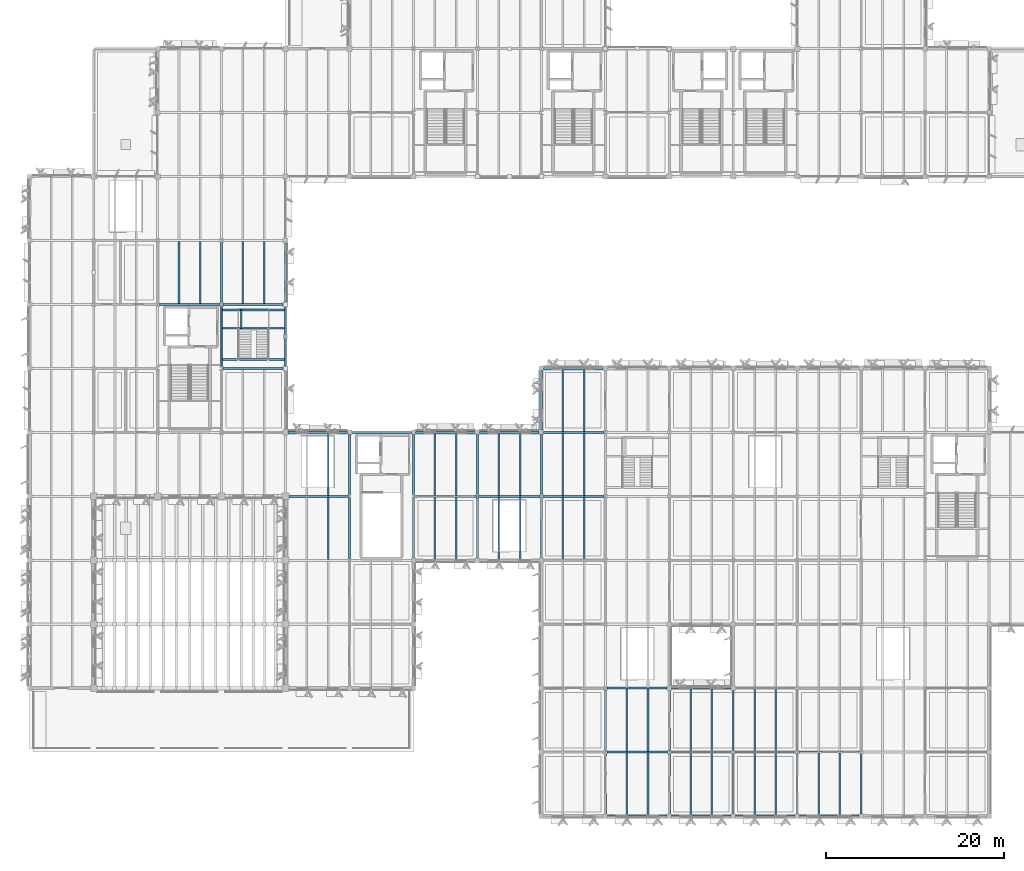
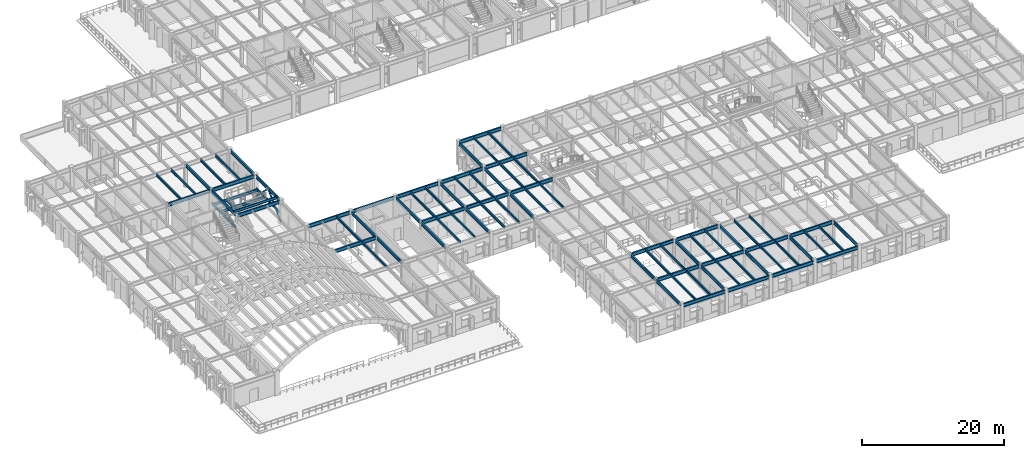
# One storey, part 17 of 85: 84 beams, 2 members.
"""IFC4 building model written with IfcOpenShell, lengths in metres."""

import ifcopenshell
import ifcopenshell.guid

model = None  # the IFC model being written
_history = None  # IfcOwnerHistory: only IFC2X3 demands one
_inside = {}  # id of a spatial element -> (the spatial element, [elements in it])
_under = {}  # id of a project, library or spatial element -> (it, [spatial elements below it])
_declared = {}  # id of a project -> (the project, [libraries it declares])
_typed = {}  # id of a type object -> (the type object, [elements of that type])
_made_of = {}  # id of a material, layer set ... -> (it, [elements and type objects made of it])


def new_model(schema):
    """Start an empty IFC model of exactly this schema.

    Asked for "IFC4X3", IfcOpenShell would pick the latest addendum, in which some entities
    have other attributes; the version numbers below select the first issue.
    IFC2X3 requires an IfcOwnerHistory on every rooted entity: one is made here for all.
    """
    global model, _history
    if schema == "IFC4X3":
        model = ifcopenshell.file(schema_version=(4, 3, 0, 0))
    else:
        model = ifcopenshell.file(schema=schema)
    _inside.clear()
    _under.clear()
    _declared.clear()
    _typed.clear()
    _made_of.clear()
    _history = None
    if model.schema == "IFC2X3":
        org = make("IfcOrganization", Name="unknown")
        user = make(
            "IfcPersonAndOrganization",
            ThePerson=make("IfcPerson", FamilyName="unknown"),
            TheOrganization=org,
        )
        app = make(
            "IfcApplication",
            ApplicationDeveloper=org,
            Version="unknown",
            ApplicationFullName="unknown",
            ApplicationIdentifier="unknown",
        )
        _history = make(
            "IfcOwnerHistory",
            OwningUser=user,
            OwningApplication=app,
            ChangeAction="ADDED",
            CreationDate=0,
        )
    return model


def make(cls, **values):
    """One entity of the class cls with the attributes given. An attribute that is None is left unset."""
    return model.create_entity(
        cls, **{name: value for name, value in values.items() if value is not None}
    )


def rooted(cls, **values):
    """An entity with a GlobalId (a new one), such as an element, a storey or a relation."""
    return make(cls, GlobalId=ifcopenshell.guid.new(), OwnerHistory=_history, **values)


def si_unit(unit_type, name, prefix=None):
    """IfcSIUnit, for example si_unit("LENGTHUNIT", "METRE", prefix="MILLI")."""
    return make("IfcSIUnit", UnitType=unit_type, Prefix=prefix, Name=name)


def assignment(units):
    """IfcUnitAssignment: the units of a project."""
    return None if units is None else make("IfcUnitAssignment", Units=units)


def point(xyz):
    """IfcCartesianPoint."""
    return None if xyz is None else make("IfcCartesianPoint", Coordinates=xyz)


def direction(xyz):
    """IfcDirection."""
    return None if xyz is None else make("IfcDirection", DirectionRatios=xyz)


def frame(location, z_axis=None, x_axis=None):
    """IfcAxis2Placement3D, a coordinate frame: its origin and axes. An axis left out is left unset."""
    return make(
        "IfcAxis2Placement3D",
        Location=point(location),
        Axis=direction(z_axis),
        RefDirection=direction(x_axis),
    )


def frame_2d(location, x_axis=None):
    """IfcAxis2Placement2D, a coordinate frame in the plane: its origin and x axis."""
    return make(
        "IfcAxis2Placement2D", Location=point(location), RefDirection=direction(x_axis)
    )


def origin():
    """The frame at (0, 0, 0) with its axes left unset."""
    return frame((0.0, 0.0, 0.0))


def origin_2d():
    """The frame at (0, 0) in the plane with its x axis left unset."""
    return frame_2d((0.0, 0.0))


def place(relative_to, where):
    """IfcLocalPlacement: puts the frame where relative to a parent placement (None: the world)."""
    return make(
        "IfcLocalPlacement", PlacementRelTo=relative_to, RelativePlacement=where
    )


def context(
    kind, dimensions, precision=None, world=None, true_north=None, identifier=None
):
    """IfcGeometricRepresentationContext, for example the 3D "Model" context."""
    return make(
        "IfcGeometricRepresentationContext",
        ContextIdentifier=identifier,
        ContextType=kind,
        CoordinateSpaceDimension=dimensions,
        Precision=precision,
        WorldCoordinateSystem=world,
        TrueNorth=true_north,
    )


def subcontext(parent, identifier, kind, view, scale=None):
    """IfcGeometricRepresentationSubContext, for example "Body" below "Model"."""
    return make(
        "IfcGeometricRepresentationSubContext",
        ContextIdentifier=identifier,
        ContextType=kind,
        ParentContext=parent,
        TargetScale=scale,
        TargetView=view,
    )


def project(units=None, contexts=None):
    """IfcProject with its units and contexts."""
    return rooted(
        "IfcProject",
        Name="project",
        RepresentationContexts=contexts,
        UnitsInContext=assignment(units),
    )


def spatial(cls, under=None, at=None, **own):
    """A site, building, storey or space (cls), placed at a placement, below another one or the project."""
    s = rooted(cls, ObjectPlacement=at, **own)
    if under is not None:
        _under.setdefault(under.id(), (under, []))[1].append(s)
    return s


def profile(cls, at=None, kind="AREA", **sizes):
    """A parametric profile (cls). Its sizes go by their IFC names, for example OverallWidth=200.0."""
    return make(cls, ProfileType=kind, Position=at, **sizes)


def hollow_rectangle(**sizes):
    """IfcRectangleHollowProfileDef."""
    return profile("IfcRectangleHollowProfileDef", **sizes)


def i_section(**sizes):
    """IfcIShapeProfileDef."""
    return profile("IfcIShapeProfileDef", **sizes)


def extrude(swept, where, along, depth):
    """IfcExtrudedAreaSolid: the profile swept, set in the frame where, extruded along a direction by depth."""
    return make(
        "IfcExtrudedAreaSolid",
        SweptArea=swept,
        Position=where,
        ExtrudedDirection=direction(along),
        Depth=depth,
    )


def shape(context_of_items, identifier, shape_type, items):
    """IfcShapeRepresentation: the items that make up one representation, for example the "Body"."""
    return make(
        "IfcShapeRepresentation",
        ContextOfItems=context_of_items,
        RepresentationIdentifier=identifier,
        RepresentationType=shape_type,
        Items=items,
    )


def material(Name=None, Category=None):
    """IfcMaterial."""
    return make("IfcMaterial", Name=Name, Category=Category)


def material_profile(
    of_material, cross_section, Name=None, Category=None, Priority=None
):
    """IfcMaterialProfile: a cross section and its material."""
    return make(
        "IfcMaterialProfile",
        Name=Name,
        Material=of_material,
        Profile=cross_section,
        Priority=Priority,
        Category=Category,
    )


def profile_set(profiles, Name=None, composite=None):
    """IfcMaterialProfileSet."""
    return make(
        "IfcMaterialProfileSet",
        Name=Name,
        MaterialProfiles=profiles,
        CompositeProfile=composite,
    )


def made_of(thing, what):
    """Note that an element or type object is made of a material, layer set ...; save() writes the relation."""
    if what is not None:
        _made_of.setdefault(what.id(), (what, []))[1].append(thing)
    return thing


def type_object(cls, material=None, **own):
    """A type object (cls), such as IfcWallType, which elements share."""
    return made_of(rooted(cls, **own), material)


def element(
    cls,
    number,
    at=None,
    inside=None,
    cuts=None,
    type_object=None,
    material=None,
    context=None,
    identifier="Body",
    shape_type=None,
    held_by="IfcProductDefinitionShape",
    body=None,
    shapes=None,
    **own,
):
    """One element of the class cls, such as IfcWall. Its Tag is "e" and its number.

    at: its placement. inside: the storey or other place that contains it. cuts: it is an
    opening in that element (IfcRelVoidsElement). A single representation is given by context,
    identifier, shape_type and body (its items); several are given by shapes. held_by: the class
    of the entity that holds the representations. save() writes the other relations.
    """
    e = rooted(cls, Tag="e%d" % number, ObjectPlacement=at, **own)
    if body is not None:
        shapes = [shape(context, identifier, shape_type, body)]
    if shapes is not None:
        e.Representation = make(held_by, Representations=shapes)
    if inside is not None:
        _inside.setdefault(inside.id(), (inside, []))[1].append(e)
    if cuts is not None:
        rooted(
            "IfcRelVoidsElement", RelatingBuildingElement=cuts, RelatedOpeningElement=e
        )
    if type_object is not None:
        _typed.setdefault(type_object.id(), (type_object, []))[1].append(e)
    return made_of(e, material)


def aggregate(whole, parts):
    """IfcRelAggregates: a whole, such as a stair, and the parts it consists of."""
    return rooted("IfcRelAggregates", RelatingObject=whole, RelatedObjects=parts)


def save(model, path):
    """Write the relations noted so far, then the file.

    IfcRelAggregates (storeys below a building ...), IfcRelContainedInSpatialStructure (elements
    in a storey), IfcRelDefinesByType, IfcRelAssociatesMaterial and IfcRelDeclares: one each for
    every whole, place, type object, material and project.
    """
    for whole, parts in _under.values():
        aggregate(whole, parts)
    for where, things in _inside.values():
        rooted(
            "IfcRelContainedInSpatialStructure",
            RelatedElements=things,
            RelatingStructure=where,
        )
    for kind, things in _typed.values():
        rooted("IfcRelDefinesByType", RelatedObjects=things, RelatingType=kind)
    for what, things in _made_of.values():
        rooted("IfcRelAssociatesMaterial", RelatedObjects=things, RelatingMaterial=what)
    for by, libraries in _declared.values():
        rooted("IfcRelDeclares", RelatingContext=by, RelatedDefinitions=libraries)
    model.write(path)


model = new_model("IFC4")

# Units and contexts
model_context = context("Model", 3, precision=1e-05, world=origin(), true_north=direction((0.0, 1.0)))
body_context = subcontext(model_context, "Body", "Model", "MODEL_VIEW")
ifc_project = project(units=[si_unit("LENGTHUNIT", "METRE"), si_unit("AREAUNIT", "SQUARE_METRE"), si_unit("VOLUMEUNIT", "CUBIC_METRE"), si_unit("PLANEANGLEUNIT", "RADIAN"), si_unit("MASSUNIT", "GRAM", prefix="KILO")], contexts=[model_context])

# Site, building, storey
site_placement = place(None, origin())
site = spatial("IfcSite", under=ifc_project, at=site_placement, CompositionType="ELEMENT")
building_placement = place(site_placement, origin())
building = spatial("IfcBuilding", under=site, at=building_placement, Name="Sillqori Civic Hall", CompositionType="ELEMENT")
storey_placement = place(building_placement, frame((0.0, 0.0, 9.89990234375)))
storey = spatial("IfcBuildingStorey", under=building, at=storey_placement, Name="L03", CompositionType="ELEMENT", Elevation=9.89990234375)

# Beams
ifc_material_1 = material(Name="Steel ASTM A992", Category="steel")
ifc_material_profile_1 = material_profile(ifc_material_1, i_section(OverallWidth=0.19091796875, OverallDepth=0.4599609375, WebThickness=0.010009765625, FlangeThickness=0.01611328125, FilletRadius=0.012939453125, at=origin_2d()), Name="W18X55")
ifc_profile_set_1 = profile_set([ifc_material_profile_1], Name="Steel ASTM A992")
beam_type_1 = type_object("IfcBeamType", Name="BM-W18X55", PredefinedType="BEAM", material=ifc_profile_set_1)
beam_1_placement = place(storey_placement, frame((28.800048828125, 57.778076171875, 1.675048828125), z_axis=(0.0, 1.0, 0.0), x_axis=(-1.0, 0.0, 0.0)))
element("IfcBeam", 1, at=beam_1_placement, inside=storey, type_object=beam_type_1, Name="Directorate Wing Stair L03-L04 landing stringer girder W", PredefinedType="BEAM", context=body_context, shape_type="SweptSolid", body=[
    extrude(i_section(OverallWidth=0.19091796875, OverallDepth=0.4599609375, WebThickness=0.010009765625, FlangeThickness=0.01611328125, FilletRadius=0.012939453125, at=origin_2d()), origin(), (0.0, 0.0, 1.0), 6.843994140625),
])
beam_2_placement = place(storey_placement, frame((36.0, 57.89404296875, 1.675048828125), z_axis=(0.0, 1.0, 0.0), x_axis=(-1.0, 0.0, 0.0)))
element("IfcBeam", 2, at=beam_2_placement, inside=storey, type_object=beam_type_1, Name="Directorate Wing Stair L03-L04 landing stringer girder E", PredefinedType="BEAM", context=body_context, shape_type="SweptSolid", body=[
    extrude(i_section(OverallWidth=0.19091796875, OverallDepth=0.4599609375, WebThickness=0.010009765625, FlangeThickness=0.01611328125, FilletRadius=0.012939453125, at=origin_2d()), origin(), (0.0, 0.0, 1.0), 6.612060546875),
])
for number, where, z_axis, x_axis, name in (
    (3, (28.840087890625, 62.110107421875, 1.675048828125), (1.0, 0.0, 0.0), (0.0, 1.0, 0.0), "Directorate Wing Stair L03-L04 half-landing cross trimmer 1"),
    (4, (28.840087890625, 64.179931640625, 1.675048828125), (1.0, 0.0, 0.0), (0.0, 1.0, 0.0), "Directorate Wing Stair L03-L04 half-landing cross trimmer 2"),
):
    element("IfcBeam", number, at=place(storey_placement, frame(where, z_axis=z_axis, x_axis=x_axis)), inside=storey, type_object=beam_type_1, Name=name, PredefinedType="BEAM", context=body_context, shape_type="SweptSolid", body=[
        extrude(i_section(OverallWidth=0.19091796875, OverallDepth=0.4599609375, WebThickness=0.010009765625, FlangeThickness=0.01611328125, FilletRadius=0.012939453125, at=origin_2d()), origin(), (0.0, 0.0, 1.0), 7.119873046875),
    ])
beam_3_placement = place(storey_placement, frame((31.0, 62.080078125, 1.675048828125), z_axis=(0.0, 1.0, 0.0), x_axis=(-1.0, 0.0, 0.0)))
element("IfcBeam", 5, at=beam_3_placement, inside=storey, type_object=beam_type_1, Name="Directorate Wing Stair L03-L04 half-landing spine rib", PredefinedType="BEAM", context=body_context, shape_type="SweptSolid", body=[
    extrude(i_section(OverallWidth=0.19091796875, OverallDepth=0.4599609375, WebThickness=0.010009765625, FlangeThickness=0.01611328125, FilletRadius=0.012939453125, at=origin_2d()), origin(), (0.0, 0.0, 1.0), 2.1298828125),
])
beam_4_placement = place(storey_placement, frame((28.840087890625, 58.60009765625, 3.795166015625), z_axis=(1.0, 0.0, 0.0), x_axis=(0.0, 1.0, 0.0)))
element("IfcBeam", 6, at=beam_4_placement, inside=storey, type_object=beam_type_1, Name="Directorate Wing Stair L03-L04 upper arrival trimmer beam", PredefinedType="BEAM", context=body_context, shape_type="SweptSolid", body=[
    extrude(i_section(OverallWidth=0.19091796875, OverallDepth=0.4599609375, WebThickness=0.010009765625, FlangeThickness=0.01611328125, FilletRadius=0.012939453125, at=origin_2d()), origin(), (0.0, 0.0, 1.0), 7.119873046875),
])
ifc_material_profile_2 = material_profile(ifc_material_1, i_section(OverallWidth=0.2099609375, OverallDepth=0.532958984375, WebThickness=0.01025390625, FlangeThickness=0.015625, FilletRadius=0.013916015625, at=origin_2d()), Name="W21X62")
ifc_profile_set_2 = profile_set([ifc_material_profile_2], Name="Steel ASTM A992")
beam_type_2 = type_object("IfcBeamType", Name="BM-W21X62", PredefinedType="BEAM", material=ifc_profile_set_2)
for number, where, z_axis, x_axis, name in (
    (7, (28.800048828125, 57.778076171875, 3.753662109375), (0.0, 1.0, 0.0), (-1.0, 0.0, 0.0), "L03 girder Y 4-8"),
    (8, (28.800048828125, 64.97802734375, 3.753662109375), (0.0, 1.0, 0.0), (-1.0, 0.0, 0.0), "L03 girder Y 4-9"),
):
    element("IfcBeam", number, at=place(storey_placement, frame(where, z_axis=z_axis, x_axis=x_axis)), inside=storey, type_object=beam_type_2, Name=name, PredefinedType="BEAM", context=body_context, shape_type="SweptSolid", body=[
        extrude(i_section(OverallWidth=0.2099609375, OverallDepth=0.532958984375, WebThickness=0.01025390625, FlangeThickness=0.015625, FilletRadius=0.013916015625, at=origin_2d()), origin(), (0.0, 0.0, 1.0), 6.843994140625),
    ])
for number, where, z_axis, x_axis, name in (
    (9, (36.0, 57.89404296875, 3.753662109375), (0.0, 1.0, 0.0), (-1.0, 0.0, 0.0), "L03 girder Y 5-8"),
    (10, (36.0, 65.093994140625, 3.753662109375), (0.0, 1.0, 0.0), (-1.0, 0.0, 0.0), "L03 girder Y 5-9"),
):
    element("IfcBeam", number, at=place(storey_placement, frame(where, z_axis=z_axis, x_axis=x_axis)), inside=storey, type_object=beam_type_2, Name=name, PredefinedType="BEAM", context=body_context, shape_type="SweptSolid", body=[
        extrude(i_section(OverallWidth=0.2099609375, OverallDepth=0.532958984375, WebThickness=0.01025390625, FlangeThickness=0.015625, FilletRadius=0.013916015625, at=origin_2d()), origin(), (0.0, 0.0, 1.0), 6.612060546875),
    ])
beam_5_placement = place(storey_placement, frame((43.199951171875, 36.175537109375, 3.733642578125), z_axis=(0.0, 1.0, 0.0), x_axis=(-1.0, 0.0, 0.0)))
element("IfcBeam", 11, at=beam_5_placement, inside=storey, type_object=beam_type_2, Name="L03 girder Y 6-5", PredefinedType="BEAM", context=body_context, shape_type="SweptSolid", body=[
    extrude(i_section(OverallWidth=0.2099609375, OverallDepth=0.532958984375, WebThickness=0.01025390625, FlangeThickness=0.015625, FilletRadius=0.013916015625, at=origin_2d()), origin(), (0.0, 0.0, 1.0), 6.848876953125),
])
for number, where, z_axis, x_axis, name in (
    (12, (43.199951171875, 43.37548828125, 3.733642578125), (0.0, 1.0, 0.0), (-1.0, 0.0, 0.0), "L03 girder Y 6-6"),
    (13, (50.39990234375, 36.243896484375, 3.733642578125), (0.0, 1.0, 0.0), (-1.0, 0.0, 0.0), "L03 girder Y 7-5"),
    (14, (50.39990234375, 43.37548828125, 3.733642578125), (0.0, 1.0, 0.0), (-1.0, 0.0, 0.0), "L03 girder Y 7-6"),
    (15, (57.60009765625, 36.243896484375, 3.733642578125), (0.0, 1.0, 0.0), (-1.0, 0.0, 0.0), "L03 girder Y 8-5"),
    (16, (57.60009765625, 43.37548828125, 3.733642578125), (0.0, 1.0, 0.0), (-1.0, 0.0, 0.0), "L03 girder Y 8-6"),
):
    element("IfcBeam", number, at=place(storey_placement, frame(where, z_axis=z_axis, x_axis=x_axis)), inside=storey, type_object=beam_type_2, Name=name, PredefinedType="BEAM", context=body_context, shape_type="SweptSolid", body=[
        extrude(i_section(OverallWidth=0.2099609375, OverallDepth=0.532958984375, WebThickness=0.01025390625, FlangeThickness=0.015625, FilletRadius=0.013916015625, at=origin_2d()), origin(), (0.0, 0.0, 1.0), 6.780517578125),
    ])
for number, where, z_axis, x_axis, name in (
    (17, (64.800048828125, 36.243896484375, 3.733642578125), (0.0, 1.0, 0.0), (-1.0, 0.0, 0.0), "L03 girder Y 9-5"),
    (18, (64.800048828125, 43.37451171875, 3.733642578125), (0.0, 1.0, 0.0), (-1.0, 0.0, 0.0), "L03 girder Y 9-6"),
):
    element("IfcBeam", number, at=place(storey_placement, frame(where, z_axis=z_axis, x_axis=x_axis)), inside=storey, type_object=beam_type_2, Name=name, PredefinedType="BEAM", context=body_context, shape_type="SweptSolid", body=[
        extrude(i_section(OverallWidth=0.2099609375, OverallDepth=0.532958984375, WebThickness=0.01025390625, FlangeThickness=0.015625, FilletRadius=0.013916015625, at=origin_2d()), origin(), (0.0, 0.0, 1.0), 6.781494140625),
    ])
beam_6_placement = place(storey_placement, frame((64.800048828125, 50.64404296875, 3.753662109375), z_axis=(0.0, 1.0, 0.0), x_axis=(-1.0, 0.0, 0.0)))
element("IfcBeam", 19, at=beam_6_placement, inside=storey, type_object=beam_type_2, Name="L03 girder Y 9-7", PredefinedType="BEAM", context=body_context, shape_type="SweptSolid", body=[
    extrude(i_section(OverallWidth=0.2099609375, OverallDepth=0.532958984375, WebThickness=0.01025390625, FlangeThickness=0.015625, FilletRadius=0.013916015625, at=origin_2d()), origin(), (0.0, 0.0, 1.0), 6.7119140625),
])
beam_7_placement = place(storey_placement, frame((72.0, 7.444091796875, 3.753662109375), z_axis=(0.0, 1.0, 0.0), x_axis=(-1.0, 0.0, 0.0)))
element("IfcBeam", 20, at=beam_7_placement, inside=storey, type_object=beam_type_2, Name="L03 girder Y 10-1", PredefinedType="BEAM", context=body_context, shape_type="SweptSolid", body=[
    extrude(i_section(OverallWidth=0.2099609375, OverallDepth=0.532958984375, WebThickness=0.01025390625, FlangeThickness=0.015625, FilletRadius=0.013916015625, at=origin_2d()), origin(), (0.0, 0.0, 1.0), 6.781494140625),
])
beam_8_placement = place(storey_placement, frame((72.0, 14.574462890625, 3.753662109375), z_axis=(0.0, 1.0, 0.0), x_axis=(-1.0, 0.0, 0.0)))
element("IfcBeam", 21, at=beam_8_placement, inside=storey, type_object=beam_type_2, Name="L03 girder Y 10-2", PredefinedType="BEAM", context=body_context, shape_type="SweptSolid", body=[
    extrude(i_section(OverallWidth=0.2099609375, OverallDepth=0.532958984375, WebThickness=0.01025390625, FlangeThickness=0.015625, FilletRadius=0.013916015625, at=origin_2d()), origin(), (0.0, 0.0, 1.0), 6.85107421875),
])
for number, where, z_axis, x_axis, name in (
    (22, (79.199951171875, 7.444091796875, 3.753662109375), (0.0, 1.0, 0.0), (-1.0, 0.0, 0.0), "L03 girder Y 11-1"),
    (23, (79.199951171875, 14.574462890625, 3.753662109375), (0.0, 1.0, 0.0), (-1.0, 0.0, 0.0), "L03 girder Y 11-2"),
    (24, (86.39990234375, 7.444091796875, 3.753662109375), (0.0, 1.0, 0.0), (-1.0, 0.0, 0.0), "L03 girder Y 12-1"),
    (25, (86.39990234375, 14.574462890625, 3.753662109375), (0.0, 1.0, 0.0), (-1.0, 0.0, 0.0), "L03 girder Y 12-2"),
    (26, (93.60009765625, 7.444091796875, 3.753662109375), (0.0, 1.0, 0.0), (-1.0, 0.0, 0.0), "L03 girder Y 13-1"),
    (27, (100.800048828125, 7.444091796875, 3.753662109375), (0.0, 1.0, 0.0), (-1.0, 0.0, 0.0), "L03 girder Y 14-1"),
):
    element("IfcBeam", number, at=place(storey_placement, frame(where, z_axis=z_axis, x_axis=x_axis)), inside=storey, type_object=beam_type_2, Name=name, PredefinedType="BEAM", context=body_context, shape_type="SweptSolid", body=[
        extrude(i_section(OverallWidth=0.2099609375, OverallDepth=0.532958984375, WebThickness=0.01025390625, FlangeThickness=0.015625, FilletRadius=0.013916015625, at=origin_2d()), origin(), (0.0, 0.0, 1.0), 6.781494140625),
    ])
ifc_material_profile_3 = material_profile(ifc_material_1, i_section(OverallWidth=0.22802734375, OverallDepth=0.60205078125, WebThickness=0.010498046875, FlangeThickness=0.014892578125, FilletRadius=0.014892578125, at=origin_2d()), Name="W24X68")
ifc_profile_set_3 = profile_set([ifc_material_profile_3], Name="Steel ASTM A992")
beam_type_3 = type_object("IfcBeamType", Name="BM-W24X68", PredefinedType="BEAM", material=ifc_profile_set_3)
beam_9_placement = place(storey_placement, frame((21.780517578125, 64.800048828125, 3.718994140625), z_axis=(1.0, 0.0, 0.0), x_axis=(0.0, 1.0, 0.0)))
element("IfcBeam", 28, at=beam_9_placement, inside=storey, type_object=beam_type_3, Name="L03 girder X 3-9", PredefinedType="BEAM", context=body_context, shape_type="SweptSolid", body=[
    extrude(i_section(OverallWidth=0.22802734375, OverallDepth=0.60205078125, WebThickness=0.010498046875, FlangeThickness=0.014892578125, FilletRadius=0.014892578125, at=origin_2d()), origin(), (0.0, 0.0, 1.0), 6.8388671875),
])
for number, where, z_axis, x_axis, name in (
    (29, (28.98046875, 57.60009765625, 3.718994140625), (1.0, 0.0, 0.0), (0.0, 1.0, 0.0), "L03 girder X 4-8"),
    (30, (28.98046875, 64.800048828125, 3.718994140625), (1.0, 0.0, 0.0), (0.0, 1.0, 0.0), "L03 girder X 4-9"),
):
    element("IfcBeam", number, at=place(storey_placement, frame(where, z_axis=z_axis, x_axis=x_axis)), inside=storey, type_object=beam_type_3, Name=name, PredefinedType="BEAM", context=body_context, shape_type="SweptSolid", body=[
        extrude(i_section(OverallWidth=0.22802734375, OverallDepth=0.60205078125, WebThickness=0.010498046875, FlangeThickness=0.014892578125, FilletRadius=0.014892578125, at=origin_2d()), origin(), (0.0, 0.0, 1.0), 6.7255859375),
    ])
beam_10_placement = place(storey_placement, frame((36.368896484375, 43.199951171875, 3.69921875), z_axis=(1.0, 0.0, 0.0), x_axis=(0.0, 1.0, 0.0)))
element("IfcBeam", 31, at=beam_10_placement, inside=storey, type_object=beam_type_3, Name="L03 girder X 5-6", PredefinedType="BEAM", context=body_context, shape_type="SweptSolid", body=[
    extrude(i_section(OverallWidth=0.22802734375, OverallDepth=0.60205078125, WebThickness=0.010498046875, FlangeThickness=0.014892578125, FilletRadius=0.014892578125, at=origin_2d()), origin(), (0.0, 0.0, 1.0), 6.70849609375),
])
beam_11_placement = place(storey_placement, frame((36.2939453125, 50.39990234375, 3.69921875), z_axis=(1.0, 0.0, 0.0), x_axis=(0.0, 1.0, 0.0)))
element("IfcBeam", 32, at=beam_11_placement, inside=storey, type_object=beam_type_3, Name="L03 girder X 5-7", PredefinedType="BEAM", context=body_context, shape_type="SweptSolid", body=[
    extrude(i_section(OverallWidth=0.22802734375, OverallDepth=0.60205078125, WebThickness=0.010498046875, FlangeThickness=0.014892578125, FilletRadius=0.014892578125, at=origin_2d()), origin(), (0.0, 0.0, 1.0), 6.662109375),
])
beam_12_placement = place(storey_placement, frame((43.444091796875, 50.39990234375, 3.69921875), z_axis=(1.0, 0.0, 0.0), x_axis=(0.0, 1.0, 0.0)))
element("IfcBeam", 33, at=beam_12_placement, inside=storey, type_object=beam_type_3, Name="L03 girder X 6-7", PredefinedType="BEAM", context=body_context, shape_type="SweptSolid", body=[
    extrude(i_section(OverallWidth=0.22802734375, OverallDepth=0.60205078125, WebThickness=0.010498046875, FlangeThickness=0.014892578125, FilletRadius=0.014892578125, at=origin_2d()), origin(), (0.0, 0.0, 1.0), 6.7119140625),
])
beam_13_placement = place(storey_placement, frame((50.5224609375, 43.199951171875, 3.69921875), z_axis=(1.0, 0.0, 0.0), x_axis=(0.0, 1.0, 0.0)))
element("IfcBeam", 34, at=beam_13_placement, inside=storey, type_object=beam_type_3, Name="L03 girder X 7-6", PredefinedType="BEAM", context=body_context, shape_type="SweptSolid", body=[
    extrude(i_section(OverallWidth=0.22802734375, OverallDepth=0.60205078125, WebThickness=0.010498046875, FlangeThickness=0.014892578125, FilletRadius=0.014892578125, at=origin_2d()), origin(), (0.0, 0.0, 1.0), 6.955078125),
])
beam_14_placement = place(storey_placement, frame((50.64404296875, 50.39990234375, 3.69921875), z_axis=(1.0, 0.0, 0.0), x_axis=(0.0, 1.0, 0.0)))
element("IfcBeam", 35, at=beam_14_placement, inside=storey, type_object=beam_type_3, Name="L03 girder X 7-7", PredefinedType="BEAM", context=body_context, shape_type="SweptSolid", body=[
    extrude(i_section(OverallWidth=0.22802734375, OverallDepth=0.60205078125, WebThickness=0.010498046875, FlangeThickness=0.014892578125, FilletRadius=0.014892578125, at=origin_2d()), origin(), (0.0, 0.0, 1.0), 6.7119140625),
])
beam_15_placement = place(storey_placement, frame((57.722412109375, 43.199951171875, 3.69921875), z_axis=(1.0, 0.0, 0.0), x_axis=(0.0, 1.0, 0.0)))
element("IfcBeam", 36, at=beam_15_placement, inside=storey, type_object=beam_type_3, Name="L03 girder X 8-6", PredefinedType="BEAM", context=body_context, shape_type="SweptSolid", body=[
    extrude(i_section(OverallWidth=0.22802734375, OverallDepth=0.60205078125, WebThickness=0.010498046875, FlangeThickness=0.014892578125, FilletRadius=0.014892578125, at=origin_2d()), origin(), (0.0, 0.0, 1.0), 6.898193359375),
])
beam_16_placement = place(storey_placement, frame((57.843994140625, 50.39990234375, 3.69921875), z_axis=(1.0, 0.0, 0.0), x_axis=(0.0, 1.0, 0.0)))
element("IfcBeam", 37, at=beam_16_placement, inside=storey, type_object=beam_type_3, Name="L03 girder X 8-7", PredefinedType="BEAM", context=body_context, shape_type="SweptSolid", body=[
    extrude(i_section(OverallWidth=0.22802734375, OverallDepth=0.60205078125, WebThickness=0.010498046875, FlangeThickness=0.014892578125, FilletRadius=0.014892578125, at=origin_2d()), origin(), (0.0, 0.0, 1.0), 6.7119140625),
])
beam_17_placement = place(storey_placement, frame((64.9794921875, 43.199951171875, 3.718994140625), z_axis=(1.0, 0.0, 0.0), x_axis=(0.0, 1.0, 0.0)))
element("IfcBeam", 38, at=beam_17_placement, inside=storey, type_object=beam_type_3, Name="L03 girder X 9-6", PredefinedType="BEAM", context=body_context, shape_type="SweptSolid", body=[
    extrude(i_section(OverallWidth=0.22802734375, OverallDepth=0.60205078125, WebThickness=0.010498046875, FlangeThickness=0.014892578125, FilletRadius=0.014892578125, at=origin_2d()), origin(), (0.0, 0.0, 1.0), 6.841064453125),
])
beam_18_placement = place(storey_placement, frame((65.0439453125, 50.39990234375, 3.718994140625), z_axis=(1.0, 0.0, 0.0), x_axis=(0.0, 1.0, 0.0)))
element("IfcBeam", 39, at=beam_18_placement, inside=storey, type_object=beam_type_3, Name="L03 girder X 9-7", PredefinedType="BEAM", context=body_context, shape_type="SweptSolid", body=[
    extrude(i_section(OverallWidth=0.22802734375, OverallDepth=0.60205078125, WebThickness=0.010498046875, FlangeThickness=0.014892578125, FilletRadius=0.014892578125, at=origin_2d()), origin(), (0.0, 0.0, 1.0), 6.776611328125),
])
for number, where, z_axis, x_axis, name in (
    (40, (65.0439453125, 57.60009765625, 3.718994140625), (1.0, 0.0, 0.0), (0.0, 1.0, 0.0), "L03 girder X 9-8"),
    (41, (72.243896484375, 7.199951171875, 3.718994140625), (1.0, 0.0, 0.0), (0.0, 1.0, 0.0), "L03 girder X 10-1"),
):
    element("IfcBeam", number, at=place(storey_placement, frame(where, z_axis=z_axis, x_axis=x_axis)), inside=storey, type_object=beam_type_3, Name=name, PredefinedType="BEAM", context=body_context, shape_type="SweptSolid", body=[
        extrude(i_section(OverallWidth=0.22802734375, OverallDepth=0.60205078125, WebThickness=0.010498046875, FlangeThickness=0.014892578125, FilletRadius=0.014892578125, at=origin_2d()), origin(), (0.0, 0.0, 1.0), 6.712158203125),
    ])
beam_19_placement = place(storey_placement, frame((72.179443359375, 14.39990234375, 3.718994140625), z_axis=(1.0, 0.0, 0.0), x_axis=(0.0, 1.0, 0.0)))
element("IfcBeam", 42, at=beam_19_placement, inside=storey, type_object=beam_type_3, Name="L03 girder X 10-2", PredefinedType="BEAM", context=body_context, shape_type="SweptSolid", body=[
    extrude(i_section(OverallWidth=0.22802734375, OverallDepth=0.60205078125, WebThickness=0.010498046875, FlangeThickness=0.014892578125, FilletRadius=0.014892578125, at=origin_2d()), origin(), (0.0, 0.0, 1.0), 6.841064453125),
])
beam_20_placement = place(storey_placement, frame((72.179443359375, 21.60009765625, 3.718994140625), z_axis=(1.0, 0.0, 0.0), x_axis=(0.0, 1.0, 0.0)))
element("IfcBeam", 43, at=beam_20_placement, inside=storey, type_object=beam_type_3, Name="L03 girder X 10-3", PredefinedType="BEAM", context=body_context, shape_type="SweptSolid", body=[
    extrude(i_section(OverallWidth=0.22802734375, OverallDepth=0.60205078125, WebThickness=0.010498046875, FlangeThickness=0.014892578125, FilletRadius=0.014892578125, at=origin_2d()), origin(), (0.0, 0.0, 1.0), 6.776611328125),
])
beam_21_placement = place(storey_placement, frame((79.444091796875, 7.199951171875, 3.718994140625), z_axis=(1.0, 0.0, 0.0), x_axis=(0.0, 1.0, 0.0)))
element("IfcBeam", 44, at=beam_21_placement, inside=storey, type_object=beam_type_3, Name="L03 girder X 11-1", PredefinedType="BEAM", context=body_context, shape_type="SweptSolid", body=[
    extrude(i_section(OverallWidth=0.22802734375, OverallDepth=0.60205078125, WebThickness=0.010498046875, FlangeThickness=0.014892578125, FilletRadius=0.014892578125, at=origin_2d()), origin(), (0.0, 0.0, 1.0), 6.7119140625),
])
beam_22_placement = place(storey_placement, frame((79.37939453125, 14.39990234375, 3.718994140625), z_axis=(1.0, 0.0, 0.0), x_axis=(0.0, 1.0, 0.0)))
element("IfcBeam", 45, at=beam_22_placement, inside=storey, type_object=beam_type_3, Name="L03 girder X 11-2", PredefinedType="BEAM", context=body_context, shape_type="SweptSolid", body=[
    extrude(i_section(OverallWidth=0.22802734375, OverallDepth=0.60205078125, WebThickness=0.010498046875, FlangeThickness=0.014892578125, FilletRadius=0.014892578125, at=origin_2d()), origin(), (0.0, 0.0, 1.0), 6.841064453125),
])
for number, where, z_axis, x_axis, name in (
    (46, (79.444091796875, 21.60009765625, 3.718994140625), (1.0, 0.0, 0.0), (0.0, 1.0, 0.0), "L03 girder X 11-3"),
    (47, (86.64404296875, 7.199951171875, 3.718994140625), (1.0, 0.0, 0.0), (0.0, 1.0, 0.0), "L03 girder X 12-1"),
):
    element("IfcBeam", number, at=place(storey_placement, frame(where, z_axis=z_axis, x_axis=x_axis)), inside=storey, type_object=beam_type_3, Name=name, PredefinedType="BEAM", context=body_context, shape_type="SweptSolid", body=[
        extrude(i_section(OverallWidth=0.22802734375, OverallDepth=0.60205078125, WebThickness=0.010498046875, FlangeThickness=0.014892578125, FilletRadius=0.014892578125, at=origin_2d()), origin(), (0.0, 0.0, 1.0), 6.7119140625),
    ])
beam_23_placement = place(storey_placement, frame((86.57958984375, 14.39990234375, 3.718994140625), z_axis=(1.0, 0.0, 0.0), x_axis=(0.0, 1.0, 0.0)))
element("IfcBeam", 48, at=beam_23_placement, inside=storey, type_object=beam_type_3, Name="L03 girder X 12-2", PredefinedType="BEAM", context=body_context, shape_type="SweptSolid", body=[
    extrude(i_section(OverallWidth=0.22802734375, OverallDepth=0.60205078125, WebThickness=0.010498046875, FlangeThickness=0.014892578125, FilletRadius=0.014892578125, at=origin_2d()), origin(), (0.0, 0.0, 1.0), 6.8408203125),
])
beam_24_placement = place(storey_placement, frame((93.843994140625, 7.199951171875, 3.718994140625), z_axis=(1.0, 0.0, 0.0), x_axis=(0.0, 1.0, 0.0)))
element("IfcBeam", 49, at=beam_24_placement, inside=storey, type_object=beam_type_3, Name="L03 girder X 13-1", PredefinedType="BEAM", context=body_context, shape_type="SweptSolid", body=[
    extrude(i_section(OverallWidth=0.22802734375, OverallDepth=0.60205078125, WebThickness=0.010498046875, FlangeThickness=0.014892578125, FilletRadius=0.014892578125, at=origin_2d()), origin(), (0.0, 0.0, 1.0), 6.7119140625),
])
beam_25_placement = place(storey_placement, frame((93.779541015625, 14.39990234375, 3.718994140625), z_axis=(1.0, 0.0, 0.0), x_axis=(0.0, 1.0, 0.0)))
element("IfcBeam", 50, at=beam_25_placement, inside=storey, type_object=beam_type_3, Name="L03 girder X 13-2", PredefinedType="BEAM", context=body_context, shape_type="SweptSolid", body=[
    extrude(i_section(OverallWidth=0.22802734375, OverallDepth=0.60205078125, WebThickness=0.010498046875, FlangeThickness=0.014892578125, FilletRadius=0.014892578125, at=origin_2d()), origin(), (0.0, 0.0, 1.0), 6.841064453125),
])

# Members
ifc_material_2 = material(Name="Steel ASTM A500 Grade C", Category="steel")
ifc_material_profile_4 = material_profile(ifc_material_2, hollow_rectangle(XDim=0.199951171875, YDim=0.199951171875, WallThickness=0.010009765625, InnerFilletRadius=0.010009765625, OuterFilletRadius=0.02001953125, at=origin_2d()), Name="HSS200X200X10")
ifc_profile_set_4 = profile_set([ifc_material_profile_4], Name="Steel ASTM A500 Grade C")
member_type = type_object("IfcMemberType", Name="BR-HSS200", PredefinedType="BRACE", material=ifc_profile_set_4)
member_1_placement = place(storey_placement, frame((36.0, 57.60009765625, 0.150146484375), z_axis=(0.0, 0.712015061443, 0.702164191823), x_axis=(-1.0, 0.0, 0.0)))
element("IfcMember", 51, at=member_1_placement, inside=storey, type_object=member_type, Name="L03 seismic chevron brace L Y5-8", PredefinedType="BRACE", context=body_context, shape_type="SweptSolid", body=[
    extrude(hollow_rectangle(XDim=0.199951171875, YDim=0.199951171875, WallThickness=0.010009765625, InnerFilletRadius=0.010009765625, OuterFilletRadius=0.02001953125, at=origin_2d()), origin(), (0.0, 0.0, 1.0), 5.055908203125),
])
member_2_placement = place(storey_placement, frame((36.0, 64.800048828125, 0.150146484375), z_axis=(0.0, -0.712038868151, 0.702140050305), x_axis=(1.0, 0.0, 0.0)))
element("IfcMember", 52, at=member_2_placement, inside=storey, type_object=member_type, Name="L03 seismic chevron brace R Y5-8", PredefinedType="BRACE", context=body_context, shape_type="SweptSolid", body=[
    extrude(hollow_rectangle(XDim=0.199951171875, YDim=0.199951171875, WallThickness=0.010009765625, InnerFilletRadius=0.010009765625, OuterFilletRadius=0.02001953125, at=origin_2d()), origin(), (0.0, 0.0, 1.0), 5.05615234375),
])

# Beams
ifc_material_profile_5 = material_profile(ifc_material_1, i_section(OverallWidth=0.177978515625, OverallDepth=0.404052734375, WebThickness=0.007568359375, FlangeThickness=0.010986328125, FilletRadius=0.011962890625, at=origin_2d()), Name="W16X36")
ifc_profile_set_5 = profile_set([ifc_material_profile_5], Name="Steel ASTM A992")
beam_type_4 = type_object("IfcBeamType", Name="JS-W16X36", PredefinedType="JOIST", material=ifc_profile_set_5)
for number, where, z_axis, x_axis, name in (
    (53, (24.0, 64.89501953125, 3.818115234375), (0.0, 1.0, 0.0), (-1.0, 0.0, 0.0), "L03 composite joist 3-9.1"),
    (54, (26.39990234375, 64.89501953125, 3.818115234375), (0.0, 1.0, 0.0), (-1.0, 0.0, 0.0), "L03 composite joist 3-9.2"),
    (55, (31.199951171875, 64.89501953125, 3.818115234375), (0.0, 1.0, 0.0), (-1.0, 0.0, 0.0), "L03 composite joist 4-9.1"),
    (56, (33.60009765625, 64.89501953125, 3.818115234375), (0.0, 1.0, 0.0), (-1.0, 0.0, 0.0), "L03 composite joist 4-9.2"),
    (57, (40.800048828125, 36.094970703125, 3.798095703125), (0.0, 1.0, 0.0), (-1.0, 0.0, 0.0), "L03 composite joist 5-5.2"),
    (58, (40.800048828125, 43.294921875, 3.798095703125), (0.0, 1.0, 0.0), (-1.0, 0.0, 0.0), "L03 composite joist 5-6.2"),
    (59, (52.800048828125, 36.094970703125, 3.798095703125), (0.0, 1.0, 0.0), (-1.0, 0.0, 0.0), "L03 composite joist 7-5.1"),
    (60, (55.199951171875, 36.094970703125, 3.798095703125), (0.0, 1.0, 0.0), (-1.0, 0.0, 0.0), "L03 composite joist 7-5.2"),
    (61, (52.800048828125, 43.294921875, 3.798095703125), (0.0, 1.0, 0.0), (-1.0, 0.0, 0.0), "L03 composite joist 7-6.1"),
    (62, (55.199951171875, 43.294921875, 3.798095703125), (0.0, 1.0, 0.0), (-1.0, 0.0, 0.0), "L03 composite joist 7-6.2"),
    (63, (60.0, 36.094970703125, 3.798095703125), (0.0, 1.0, 0.0), (-1.0, 0.0, 0.0), "L03 composite joist 8-5.1"),
    (64, (62.39990234375, 36.094970703125, 3.798095703125), (0.0, 1.0, 0.0), (-1.0, 0.0, 0.0), "L03 composite joist 8-5.2"),
    (65, (60.0, 43.294921875, 3.798095703125), (0.0, 1.0, 0.0), (-1.0, 0.0, 0.0), "L03 composite joist 8-6.1"),
    (66, (62.39990234375, 43.294921875, 3.798095703125), (0.0, 1.0, 0.0), (-1.0, 0.0, 0.0), "L03 composite joist 8-6.2"),
    (67, (67.199951171875, 36.094970703125, 3.818115234375), (0.0, 1.0, 0.0), (-1.0, 0.0, 0.0), "L03 composite joist 9-5.1"),
    (68, (69.60009765625, 36.094970703125, 3.818115234375), (0.0, 1.0, 0.0), (-1.0, 0.0, 0.0), "L03 composite joist 9-5.2"),
    (69, (67.199951171875, 43.294921875, 3.818115234375), (0.0, 1.0, 0.0), (-1.0, 0.0, 0.0), "L03 composite joist 9-6.1"),
    (70, (69.60009765625, 43.294921875, 3.818115234375), (0.0, 1.0, 0.0), (-1.0, 0.0, 0.0), "L03 composite joist 9-6.2"),
):
    element("IfcBeam", number, at=place(storey_placement, frame(where, z_axis=z_axis, x_axis=x_axis)), inside=storey, type_object=beam_type_4, Name=name, PredefinedType="JOIST", context=body_context, shape_type="SweptSolid", body=[
        extrude(i_section(OverallWidth=0.177978515625, OverallDepth=0.404052734375, WebThickness=0.007568359375, FlangeThickness=0.010986328125, FilletRadius=0.011962890625, at=origin_2d()), origin(), (0.0, 0.0, 1.0), 7.010009765625),
    ])
for number, where, z_axis, x_axis, name in (
    (71, (67.199951171875, 50.4951171875, 3.818115234375), (0.0, 1.0, 0.0), (-1.0, 0.0, 0.0), "L03 composite joist 9-7.1"),
    (72, (69.60009765625, 50.4951171875, 3.818115234375), (0.0, 1.0, 0.0), (-1.0, 0.0, 0.0), "L03 composite joist 9-7.2"),
):
    element("IfcBeam", number, at=place(storey_placement, frame(where, z_axis=z_axis, x_axis=x_axis)), inside=storey, type_object=beam_type_4, Name=name, PredefinedType="JOIST", context=body_context, shape_type="SweptSolid", body=[
        extrude(i_section(OverallWidth=0.177978515625, OverallDepth=0.404052734375, WebThickness=0.007568359375, FlangeThickness=0.010986328125, FilletRadius=0.011962890625, at=origin_2d()), origin(), (0.0, 0.0, 1.0), 7.009765625),
    ])
for number, where, z_axis, x_axis, name in (
    (73, (74.39990234375, 7.294921875, 3.818115234375), (0.0, 1.0, 0.0), (-1.0, 0.0, 0.0), "L03 composite joist 10-1.1"),
    (74, (76.800048828125, 7.294921875, 3.818115234375), (0.0, 1.0, 0.0), (-1.0, 0.0, 0.0), "L03 composite joist 10-1.2"),
):
    element("IfcBeam", number, at=place(storey_placement, frame(where, z_axis=z_axis, x_axis=x_axis)), inside=storey, type_object=beam_type_4, Name=name, PredefinedType="JOIST", context=body_context, shape_type="SweptSolid", body=[
        extrude(i_section(OverallWidth=0.177978515625, OverallDepth=0.404052734375, WebThickness=0.007568359375, FlangeThickness=0.010986328125, FilletRadius=0.011962890625, at=origin_2d()), origin(), (0.0, 0.0, 1.0), 7.010009765625),
    ])
for number, where, z_axis, x_axis, name in (
    (75, (74.39990234375, 14.4951171875, 3.818115234375), (0.0, 1.0, 0.0), (-1.0, 0.0, 0.0), "L03 composite joist 10-2.1"),
    (76, (76.800048828125, 14.4951171875, 3.818115234375), (0.0, 1.0, 0.0), (-1.0, 0.0, 0.0), "L03 composite joist 10-2.2"),
):
    element("IfcBeam", number, at=place(storey_placement, frame(where, z_axis=z_axis, x_axis=x_axis)), inside=storey, type_object=beam_type_4, Name=name, PredefinedType="JOIST", context=body_context, shape_type="SweptSolid", body=[
        extrude(i_section(OverallWidth=0.177978515625, OverallDepth=0.404052734375, WebThickness=0.007568359375, FlangeThickness=0.010986328125, FilletRadius=0.011962890625, at=origin_2d()), origin(), (0.0, 0.0, 1.0), 7.009765625),
    ])
for number, where, z_axis, x_axis, name in (
    (77, (81.60009765625, 7.294921875, 3.818115234375), (0.0, 1.0, 0.0), (-1.0, 0.0, 0.0), "L03 composite joist 11-1.1"),
    (78, (84.0, 7.294921875, 3.818115234375), (0.0, 1.0, 0.0), (-1.0, 0.0, 0.0), "L03 composite joist 11-1.2"),
):
    element("IfcBeam", number, at=place(storey_placement, frame(where, z_axis=z_axis, x_axis=x_axis)), inside=storey, type_object=beam_type_4, Name=name, PredefinedType="JOIST", context=body_context, shape_type="SweptSolid", body=[
        extrude(i_section(OverallWidth=0.177978515625, OverallDepth=0.404052734375, WebThickness=0.007568359375, FlangeThickness=0.010986328125, FilletRadius=0.011962890625, at=origin_2d()), origin(), (0.0, 0.0, 1.0), 7.010009765625),
    ])
for number, where, z_axis, x_axis, name in (
    (79, (81.60009765625, 14.4951171875, 3.818115234375), (0.0, 1.0, 0.0), (-1.0, 0.0, 0.0), "L03 composite joist 11-2.1"),
    (80, (84.0, 14.4951171875, 3.818115234375), (0.0, 1.0, 0.0), (-1.0, 0.0, 0.0), "L03 composite joist 11-2.2"),
):
    element("IfcBeam", number, at=place(storey_placement, frame(where, z_axis=z_axis, x_axis=x_axis)), inside=storey, type_object=beam_type_4, Name=name, PredefinedType="JOIST", context=body_context, shape_type="SweptSolid", body=[
        extrude(i_section(OverallWidth=0.177978515625, OverallDepth=0.404052734375, WebThickness=0.007568359375, FlangeThickness=0.010986328125, FilletRadius=0.011962890625, at=origin_2d()), origin(), (0.0, 0.0, 1.0), 7.009765625),
    ])
for number, where, z_axis, x_axis, name in (
    (81, (88.800048828125, 7.294921875, 3.818115234375), (0.0, 1.0, 0.0), (-1.0, 0.0, 0.0), "L03 composite joist 12-1.1"),
    (82, (91.199951171875, 7.294921875, 3.818115234375), (0.0, 1.0, 0.0), (-1.0, 0.0, 0.0), "L03 composite joist 12-1.2"),
):
    element("IfcBeam", number, at=place(storey_placement, frame(where, z_axis=z_axis, x_axis=x_axis)), inside=storey, type_object=beam_type_4, Name=name, PredefinedType="JOIST", context=body_context, shape_type="SweptSolid", body=[
        extrude(i_section(OverallWidth=0.177978515625, OverallDepth=0.404052734375, WebThickness=0.007568359375, FlangeThickness=0.010986328125, FilletRadius=0.011962890625, at=origin_2d()), origin(), (0.0, 0.0, 1.0), 7.010009765625),
    ])
for number, where, z_axis, x_axis, name in (
    (83, (88.800048828125, 14.4951171875, 3.818115234375), (0.0, 1.0, 0.0), (-1.0, 0.0, 0.0), "L03 composite joist 12-2.1"),
    (84, (91.199951171875, 14.4951171875, 3.818115234375), (0.0, 1.0, 0.0), (-1.0, 0.0, 0.0), "L03 composite joist 12-2.2"),
):
    element("IfcBeam", number, at=place(storey_placement, frame(where, z_axis=z_axis, x_axis=x_axis)), inside=storey, type_object=beam_type_4, Name=name, PredefinedType="JOIST", context=body_context, shape_type="SweptSolid", body=[
        extrude(i_section(OverallWidth=0.177978515625, OverallDepth=0.404052734375, WebThickness=0.007568359375, FlangeThickness=0.010986328125, FilletRadius=0.011962890625, at=origin_2d()), origin(), (0.0, 0.0, 1.0), 7.009765625),
    ])
for number, where, z_axis, x_axis, name in (
    (85, (96.0, 7.294921875, 3.818115234375), (0.0, 1.0, 0.0), (-1.0, 0.0, 0.0), "L03 composite joist 13-1.1"),
    (86, (98.39990234375, 7.294921875, 3.818115234375), (0.0, 1.0, 0.0), (-1.0, 0.0, 0.0), "L03 composite joist 13-1.2"),
):
    element("IfcBeam", number, at=place(storey_placement, frame(where, z_axis=z_axis, x_axis=x_axis)), inside=storey, type_object=beam_type_4, Name=name, PredefinedType="JOIST", context=body_context, shape_type="SweptSolid", body=[
        extrude(i_section(OverallWidth=0.177978515625, OverallDepth=0.404052734375, WebThickness=0.007568359375, FlangeThickness=0.010986328125, FilletRadius=0.011962890625, at=origin_2d()), origin(), (0.0, 0.0, 1.0), 7.010009765625),
    ])

save(model, "model.ifc")
